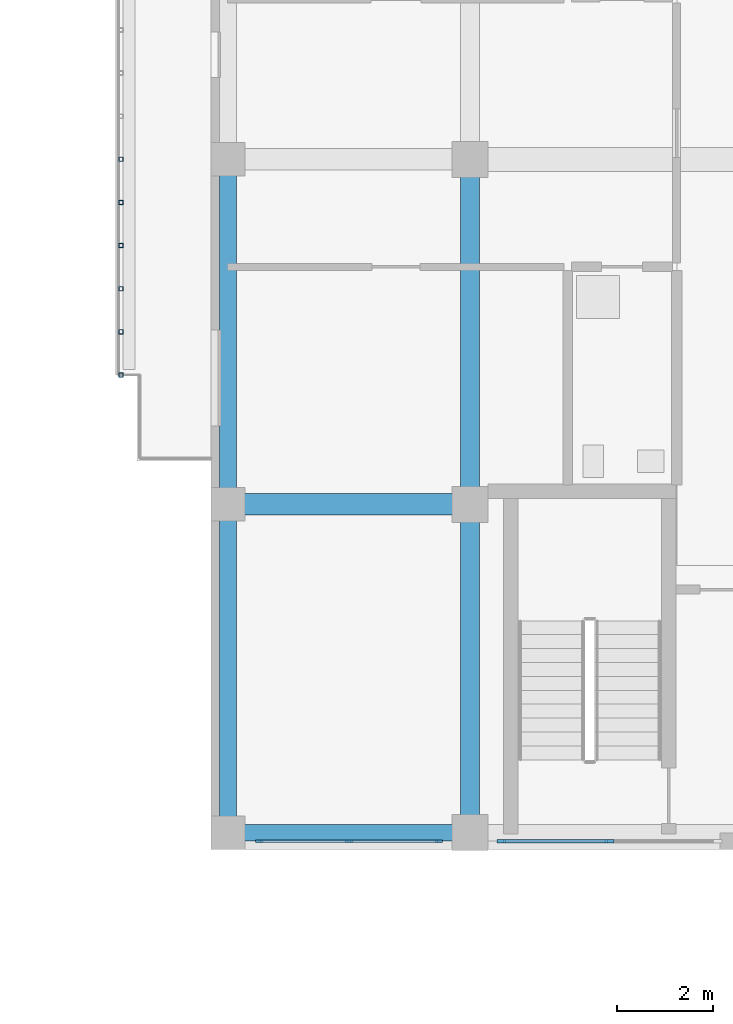
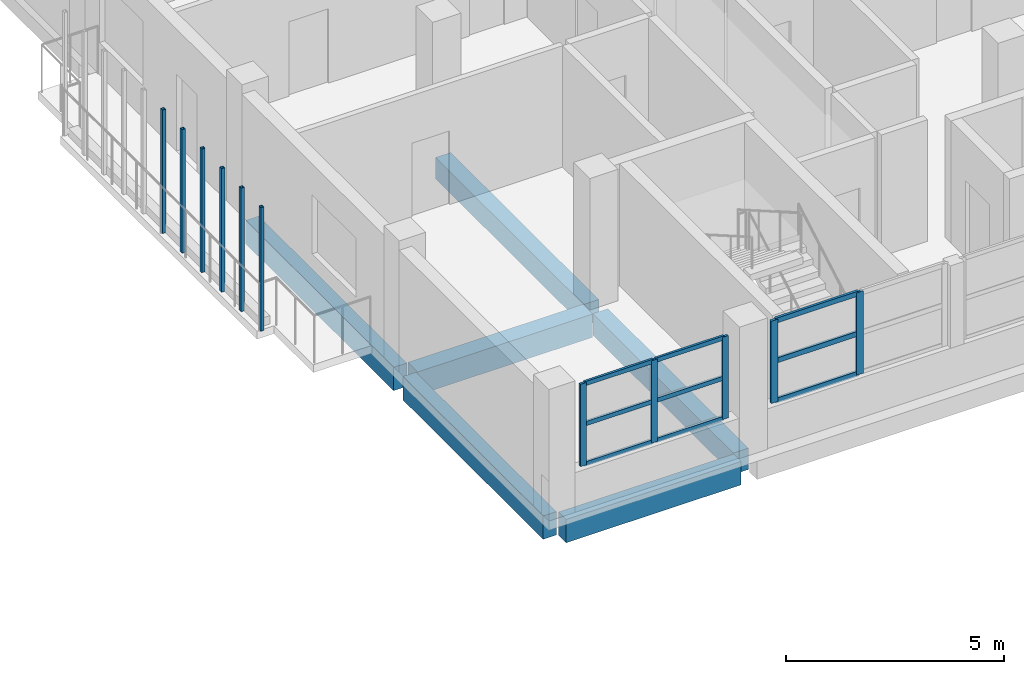
# One storey, part 24 of 73: 20 members, 6 beams, 2 elements without a shape of their own.
"""IFC4 building model written with IfcOpenShell, lengths in metres."""

from ifc_helpers import new_model, si_unit, derived_unit, direction, frame, origin, origin_2d, place, context, subcontext, project, spatial, rectangle, hollow_rectangle, extrude, material, layer, layer_set, material_profile, profile_set, type_object, element, aggregate, save


model = new_model("IFC4")

# Units and contexts
model_context = context("Model", 3, precision=1e-05, world=origin(), true_north=direction((0.0, 1.0)))
body_context = subcontext(model_context, "Body", "Model", "MODEL_VIEW")
ifc_project = project(units=[si_unit("LENGTHUNIT", "METRE"), si_unit("AREAUNIT", "SQUARE_METRE"), si_unit("VOLUMEUNIT", "CUBIC_METRE"), si_unit("PLANEANGLEUNIT", "RADIAN"), si_unit("MASSUNIT", "GRAM", prefix="KILO"), derived_unit("THERMALTRANSMITTANCEUNIT", [(si_unit("MASSUNIT", "GRAM", prefix="KILO"), 1), (si_unit("TIMEUNIT", "SECOND"), -3), (si_unit("THERMODYNAMICTEMPERATUREUNIT", "KELVIN"), -1)])], contexts=[model_context])

# Site, building, storey
site_placement = place(None, origin())
site = spatial("IfcSite", under=ifc_project, at=site_placement, CompositionType="ELEMENT")
building_placement = place(site_placement, origin())
building = spatial("IfcBuilding", under=site, at=building_placement, Name="Ochrekiln Boulevard Commons", CompositionType="ELEMENT")
storey_placement = place(building_placement, frame((0.0, 0.0, 4.89990234375)))
storey = spatial("IfcBuildingStorey", under=building, at=storey_placement, Name="L01", CompositionType="ELEMENT", Elevation=4.89990234375)

# Beams
ifc_material_1 = material(Name="Concrete C35/45", Category="concrete")
ifc_material_profile_1 = material_profile(ifc_material_1, rectangle(XDim=0.39990234375, YDim=0.60009765625, at=origin_2d()), Name="RC-BM-400x600")
ifc_profile_set_1 = profile_set([ifc_material_profile_1], Name="Concrete C35/45")
beam_type_1 = type_object("IfcBeamType", Name="BM-RC-400x600", PredefinedType="BEAM", material=ifc_profile_set_1)
beam_1_placement = place(storey_placement, frame((156.60009765625, 68.9599609375, -0.559814453125), z_axis=(0.0, 1.0, 0.0), x_axis=(-1.0, 0.0, 0.0)))
element("IfcBeam", 1, at=beam_1_placement, inside=storey, type_object=beam_type_1, Name="Block B L01 Beam B-4060 Y30", PredefinedType="BEAM", context=body_context, shape_type="SweptSolid", body=[
    extrude(rectangle(XDim=0.39990234375, YDim=0.60009765625, at=origin_2d()), origin(), (0.0, 0.0, 1.0), 6.429931640625),
])
beam_2_placement = place(storey_placement, frame((156.60009765625, 75.81005859375, -0.559814453125), z_axis=(0.0, 1.0, 0.0), x_axis=(-1.0, 0.0, 0.0)))
element("IfcBeam", 2, at=beam_2_placement, inside=storey, type_object=beam_type_1, Name="Block B L01 Beam B-4060 Y31", PredefinedType="BEAM", context=body_context, shape_type="SweptSolid", body=[
    extrude(rectangle(XDim=0.39990234375, YDim=0.60009765625, at=origin_2d()), origin(), (0.0, 0.0, 1.0), 6.780029296875),
])
ifc_material_profile_2 = material_profile(ifc_material_1, rectangle(XDim=0.449951171875, YDim=0.64990234375, at=origin_2d()), Name="RC-BM-450x650")
ifc_profile_set_2 = profile_set([ifc_material_profile_2], Name="Concrete C35/45")
beam_type_2 = type_object("IfcBeamType", Name="BM-RC-450x650", PredefinedType="BEAM", material=ifc_profile_set_2)
beam_3_placement = place(storey_placement, frame((151.760009765625, 75.60009765625, -0.5849609375), z_axis=(1.0, 0.0, 0.0), x_axis=(0.0, 1.0, 0.0)))
element("IfcBeam", 3, at=beam_3_placement, inside=storey, type_object=beam_type_2, Name="Block B L01 Beam B-4565 X4", PredefinedType="BEAM", context=body_context, shape_type="SweptSolid", body=[
    extrude(rectangle(XDim=0.449951171875, YDim=0.64990234375, at=origin_2d()), origin(), (0.0, 0.0, 1.0), 4.6298828125),
])

# Curtain wall, members
ifc_material_2 = material(Name="Bronze-anodized extruded aluminium 6063-T6", Category="aluminium")
ifc_layer = layer(ifc_material_2, 0.18408203125)
ifc_layer_set = layer_set([ifc_layer], Name="Bronze-anodized extruded aluminium 6063-T6")
curtain_wall_type = type_object("IfcCurtainWallType", Name="CW-GABLE-B", PredefinedType="USERDEFINED", material=ifc_layer_set)
curtain_wall_1_placement = place(storey_placement, origin())
curtain_wall_1 = element("IfcCurtainWall", 4, at=curtain_wall_1_placement, inside=storey, type_object=curtain_wall_type, Name="Block B L01 Courtyard Glazed Gable Curtain Wall 1", ObjectType="GLAZED CURTAIN WALL", PredefinedType="USERDEFINED")
ifc_material_profile_3 = material_profile(ifc_material_2, rectangle(XDim=0.06005859375, YDim=0.159912109375, at=origin_2d()), Name="ALU-MUL-60x160")
ifc_profile_set_3 = profile_set([ifc_material_profile_3], Name="Bronze-anodized extruded aluminium 6063-T6")
member_type_1 = type_object("IfcMemberType", Name="CWM-60x160", PredefinedType="MULLION", material=ifc_profile_set_3)
member_1_placement = place(storey_placement, frame((152.199951171875, 68.570068359375, 1.110107421875), z_axis=(0.0, 0.0, 1.0), x_axis=(0.0, 1.0, 0.0)))
member_1 = element("IfcMember", 5, at=member_1_placement, type_object=member_type_1, Name="CW-02 mullion 1", PredefinedType="MULLION", context=body_context, shape_type="SweptSolid", body=[
    extrude(rectangle(XDim=0.06005859375, YDim=0.159912109375, at=origin_2d()), origin(), (0.0, 0.0, 1.0), 2.304931640625),
])
member_2_placement = place(storey_placement, frame((154.074951171875, 68.570068359375, 1.110107421875), z_axis=(0.0, 0.0, 1.0), x_axis=(0.0, 1.0, 0.0)))
member_2 = element("IfcMember", 6, at=member_2_placement, type_object=member_type_1, Name="CW-02 mullion 2", PredefinedType="MULLION", context=body_context, shape_type="SweptSolid", body=[
    extrude(rectangle(XDim=0.06005859375, YDim=0.159912109375, at=origin_2d()), origin(), (0.0, 0.0, 1.0), 2.304931640625),
])
member_3_placement = place(storey_placement, frame((155.949951171875, 68.570068359375, 1.110107421875), z_axis=(0.0, 0.0, 1.0), x_axis=(0.0, 1.0, 0.0)))
member_3 = element("IfcMember", 7, at=member_3_placement, type_object=member_type_1, Name="CW-02 mullion 3", PredefinedType="MULLION", context=body_context, shape_type="SweptSolid", body=[
    extrude(rectangle(XDim=0.06005859375, YDim=0.159912109375, at=origin_2d()), origin(), (0.0, 0.0, 1.0), 2.304931640625),
])

curtain_wall_2_placement = place(storey_placement, origin())
curtain_wall_2 = element("IfcCurtainWall", 8, at=curtain_wall_2_placement, inside=storey, type_object=curtain_wall_type, Name="Block B L01 Courtyard Glazed Gable Curtain Wall 2", ObjectType="GLAZED CURTAIN WALL", PredefinedType="USERDEFINED")
ifc_material_profile_4 = material_profile(ifc_material_2, rectangle(XDim=0.06494140625, YDim=0.179931640625, at=origin_2d()), Name="ALU-MUL-65x180")
ifc_profile_set_4 = profile_set([ifc_material_profile_4], Name="Bronze-anodized extruded aluminium 6063-T6")
member_type_2 = type_object("IfcMemberType", Name="CWM-65x180", PredefinedType="MULLION", material=ifc_profile_set_4)
member_4_placement = place(storey_placement, frame((157.25244140625, 68.570068359375, 1.110107421875), z_axis=(0.0, 0.0, 1.0), x_axis=(0.0, 1.0, 0.0)))
member_4 = element("IfcMember", 9, at=member_4_placement, type_object=member_type_2, Name="CW-02 mullion 1", PredefinedType="MULLION", context=body_context, shape_type="SweptSolid", body=[
    extrude(rectangle(XDim=0.06494140625, YDim=0.179931640625, at=origin_2d()), origin(), (0.0, 0.0, 1.0), 2.304931640625),
])
member_5_placement = place(storey_placement, frame((159.510009765625, 68.570068359375, 1.110107421875), z_axis=(0.0, 0.0, 1.0), x_axis=(0.0, 1.0, 0.0)))
member_5 = element("IfcMember", 10, at=member_5_placement, type_object=member_type_2, Name="CW-02 mullion 2", PredefinedType="MULLION", context=body_context, shape_type="SweptSolid", body=[
    extrude(rectangle(XDim=0.06494140625, YDim=0.179931640625, at=origin_2d()), origin(), (0.0, 0.0, 1.0), 2.304931640625),
])

# Member
ifc_material_profile_5 = material_profile(ifc_material_2, rectangle(XDim=0.06005859375, YDim=0.1201171875, at=origin_2d()), Name="ALU-TRN-60x120")
ifc_profile_set_5 = profile_set([ifc_material_profile_5], Name="Bronze-anodized extruded aluminium 6063-T6")
member_type_3 = type_object("IfcMemberType", Name="CWT-60x120", PredefinedType="USERDEFINED", material=ifc_profile_set_5)
member_6_placement = place(storey_placement, frame((152.22998046875, 68.570068359375, 1.14013671875), z_axis=(1.0, 0.0, 0.0), x_axis=(0.0, 1.0, 0.0)))
member_6 = element("IfcMember", 11, at=member_6_placement, type_object=member_type_3, Name="CW-02 transom 1.1", ObjectType="TRANSOM", PredefinedType="USERDEFINED", context=body_context, shape_type="SweptSolid", body=[
    extrude(rectangle(XDim=0.06005859375, YDim=0.1201171875, at=origin_2d()), origin(), (0.0, 0.0, 1.0), 1.81494140625),
])

member_7_placement = place(storey_placement, frame((152.22998046875, 68.570068359375, 2.26220703125), z_axis=(1.0, 0.0, 0.0), x_axis=(0.0, 1.0, 0.0)))
member_7 = element("IfcMember", 12, at=member_7_placement, type_object=member_type_3, Name="CW-02 transom 1.2", ObjectType="TRANSOM", PredefinedType="USERDEFINED", context=body_context, shape_type="SweptSolid", body=[
    extrude(rectangle(XDim=0.06005859375, YDim=0.1201171875, at=origin_2d()), origin(), (0.0, 0.0, 1.0), 1.81494140625),
])

member_8_placement = place(storey_placement, frame((152.22998046875, 68.570068359375, 3.385009765625), z_axis=(1.0, 0.0, 0.0), x_axis=(0.0, 1.0, 0.0)))
member_8 = element("IfcMember", 13, at=member_8_placement, type_object=member_type_3, Name="CW-02 transom 1.3", ObjectType="TRANSOM", PredefinedType="USERDEFINED", context=body_context, shape_type="SweptSolid", body=[
    extrude(rectangle(XDim=0.06005859375, YDim=0.1201171875, at=origin_2d()), origin(), (0.0, 0.0, 1.0), 1.81494140625),
])

member_9_placement = place(storey_placement, frame((154.10498046875, 68.570068359375, 1.14013671875), z_axis=(1.0, 0.0, 0.0), x_axis=(0.0, 1.0, 0.0)))
member_9 = element("IfcMember", 14, at=member_9_placement, type_object=member_type_3, Name="CW-02 transom 2.1", ObjectType="TRANSOM", PredefinedType="USERDEFINED", context=body_context, shape_type="SweptSolid", body=[
    extrude(rectangle(XDim=0.06005859375, YDim=0.1201171875, at=origin_2d()), origin(), (0.0, 0.0, 1.0), 1.81494140625),
])

member_10_placement = place(storey_placement, frame((154.10498046875, 68.570068359375, 2.26220703125), z_axis=(1.0, 0.0, 0.0), x_axis=(0.0, 1.0, 0.0)))
member_10 = element("IfcMember", 15, at=member_10_placement, type_object=member_type_3, Name="CW-02 transom 2.2", ObjectType="TRANSOM", PredefinedType="USERDEFINED", context=body_context, shape_type="SweptSolid", body=[
    extrude(rectangle(XDim=0.06005859375, YDim=0.1201171875, at=origin_2d()), origin(), (0.0, 0.0, 1.0), 1.81494140625),
])

member_11_placement = place(storey_placement, frame((154.10498046875, 68.570068359375, 3.385009765625), z_axis=(1.0, 0.0, 0.0), x_axis=(0.0, 1.0, 0.0)))
member_11 = element("IfcMember", 16, at=member_11_placement, type_object=member_type_3, Name="CW-02 transom 2.3", ObjectType="TRANSOM", PredefinedType="USERDEFINED", context=body_context, shape_type="SweptSolid", body=[
    extrude(rectangle(XDim=0.06005859375, YDim=0.1201171875, at=origin_2d()), origin(), (0.0, 0.0, 1.0), 1.81494140625),
])

aggregate(curtain_wall_1, [member_1, member_2, member_3, member_6, member_7, member_8, member_9, member_10, member_11])

ifc_material_profile_6 = material_profile(ifc_material_2, rectangle(XDim=0.06494140625, YDim=0.139892578125, at=origin_2d()), Name="ALU-TRN-65x140")
ifc_profile_set_6 = profile_set([ifc_material_profile_6], Name="Bronze-anodized extruded aluminium 6063-T6")
member_type_4 = type_object("IfcMemberType", Name="CWT-65x140", PredefinedType="USERDEFINED", material=ifc_profile_set_6)
member_12_placement = place(storey_placement, frame((157.284912109375, 68.570068359375, 1.142578125), z_axis=(1.0, 0.0, 0.0), x_axis=(0.0, 1.0, 0.0)))
member_12 = element("IfcMember", 17, at=member_12_placement, type_object=member_type_4, Name="CW-02 transom 1.1", ObjectType="TRANSOM", PredefinedType="USERDEFINED", context=body_context, shape_type="SweptSolid", body=[
    extrude(rectangle(XDim=0.06494140625, YDim=0.139892578125, at=origin_2d()), origin(), (0.0, 0.0, 1.0), 2.192626953125),
])

member_13_placement = place(storey_placement, frame((157.284912109375, 68.570068359375, 2.26220703125), z_axis=(1.0, 0.0, 0.0), x_axis=(0.0, 1.0, 0.0)))
member_13 = element("IfcMember", 18, at=member_13_placement, type_object=member_type_4, Name="CW-02 transom 1.2", ObjectType="TRANSOM", PredefinedType="USERDEFINED", context=body_context, shape_type="SweptSolid", body=[
    extrude(rectangle(XDim=0.06494140625, YDim=0.139892578125, at=origin_2d()), origin(), (0.0, 0.0, 1.0), 2.192626953125),
])

member_14_placement = place(storey_placement, frame((157.284912109375, 68.570068359375, 3.382568359375), z_axis=(1.0, 0.0, 0.0), x_axis=(0.0, 1.0, 0.0)))
member_14 = element("IfcMember", 19, at=member_14_placement, type_object=member_type_4, Name="CW-02 transom 1.3", ObjectType="TRANSOM", PredefinedType="USERDEFINED", context=body_context, shape_type="SweptSolid", body=[
    extrude(rectangle(XDim=0.06494140625, YDim=0.139892578125, at=origin_2d()), origin(), (0.0, 0.0, 1.0), 2.192626953125),
])

aggregate(curtain_wall_2, [member_4, member_5, member_12, member_13, member_14])

# Members
ifc_material_3 = material(Name="Steel A500 Grade C", Category="steel")
ifc_material_profile_7 = material_profile(ifc_material_3, hollow_rectangle(XDim=0.090087890625, YDim=0.090087890625, WallThickness=0.00634765625, at=origin_2d()), Name="HSS90X90X6.4")
ifc_profile_set_7 = profile_set([ifc_material_profile_7], Name="Steel A500 Grade C")
member_type_5 = type_object("IfcMemberType", Name="MEM-PST-HSS90", PredefinedType="POST", material=ifc_profile_set_7)
for number, where, z_axis, x_axis, name in (
    (20, (149.320068359375, 78.300048828125, 0.0), (0.0, 0.0, 1.0), (1.0, 0.0, 0.0), "Block B L01 Slim Vertical Balcony Post (144)"),
    (21, (149.320068359375, 79.199951171875, 0.0), (0.0, 0.0, 1.0), (1.0, 0.0, 0.0), "Block B L01 Slim Vertical Balcony Post (145)"),
    (22, (149.320068359375, 80.10009765625, 0.0), (0.0, 0.0, 1.0), (1.0, 0.0, 0.0), "Block B L01 Slim Vertical Balcony Post (146)"),
    (23, (149.320068359375, 81.0, 0.0), (0.0, 0.0, 1.0), (1.0, 0.0, 0.0), "Block B L01 Slim Vertical Balcony Post (147)"),
    (24, (149.320068359375, 81.89990234375, 0.0), (0.0, 0.0, 1.0), (1.0, 0.0, 0.0), "Block B L01 Slim Vertical Balcony Post (148)"),
    (25, (149.320068359375, 82.800048828125, 0.0), (0.0, 0.0, 1.0), (1.0, 0.0, 0.0), "Block B L01 Slim Vertical Balcony Post (149)"),
):
    element("IfcMember", number, at=place(storey_placement, frame(where, z_axis=z_axis, x_axis=x_axis)), inside=storey, type_object=member_type_5, Name=name, PredefinedType="POST", context=body_context, shape_type="SweptSolid", body=[
        extrude(hollow_rectangle(XDim=0.090087890625, YDim=0.090087890625, WallThickness=0.00634765625, at=origin_2d()), origin(), (0.0, 0.0, 1.0), 3.455078125),
    ])

# Beams
ifc_material_4 = material(Name="Concrete C40/50", Category="concrete")
ifc_material_profile_8 = material_profile(ifc_material_4, rectangle(XDim=0.35009765625, YDim=0.64990234375, at=origin_2d()), Name="RC-SPN-350x650")
ifc_profile_set_8 = profile_set([ifc_material_profile_8], Name="Concrete C40/50")
beam_type_3 = type_object("IfcBeamType", Name="SPN-RC-350x650", PredefinedType="SPANDREL", material=ifc_profile_set_8)
beam_4_placement = place(storey_placement, frame((151.760009765625, 68.75, -0.5849609375), z_axis=(1.0, 0.0, 0.0), x_axis=(0.0, 1.0, 0.0)))
element("IfcBeam", 26, at=beam_4_placement, inside=storey, type_object=beam_type_3, Name="Block B L01 Beam SP-3565 X1", PredefinedType="SPANDREL", context=body_context, shape_type="SweptSolid", body=[
    extrude(rectangle(XDim=0.35009765625, YDim=0.64990234375, at=origin_2d()), origin(), (0.0, 0.0, 1.0), 4.6298828125),
])
beam_5_placement = place(storey_placement, frame((151.550048828125, 68.9599609375, -0.5849609375), z_axis=(0.0, 1.0, 0.0), x_axis=(-1.0, 0.0, 0.0)))
element("IfcBeam", 27, at=beam_5_placement, inside=storey, type_object=beam_type_3, Name="Block B L01 Beam SP-3565 Y23", PredefinedType="SPANDREL", context=body_context, shape_type="SweptSolid", body=[
    extrude(rectangle(XDim=0.35009765625, YDim=0.64990234375, at=origin_2d()), origin(), (0.0, 0.0, 1.0), 6.429931640625),
])
beam_6_placement = place(storey_placement, frame((151.550048828125, 75.81005859375, -0.5849609375), z_axis=(0.0, 1.0, 0.0), x_axis=(-1.0, 0.0, 0.0)))
element("IfcBeam", 28, at=beam_6_placement, inside=storey, type_object=beam_type_3, Name="Block B L01 Beam SP-3565 Y24", PredefinedType="SPANDREL", context=body_context, shape_type="SweptSolid", body=[
    extrude(rectangle(XDim=0.35009765625, YDim=0.64990234375, at=origin_2d()), origin(), (0.0, 0.0, 1.0), 6.780029296875),
])

save(model, "model.ifc")
